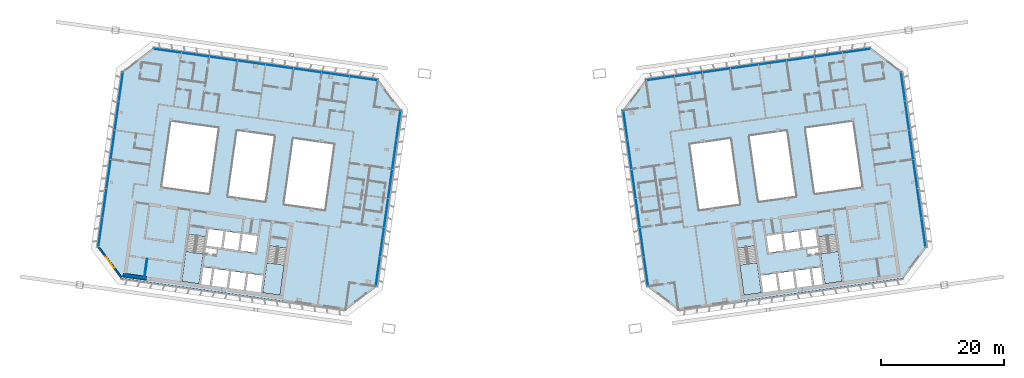
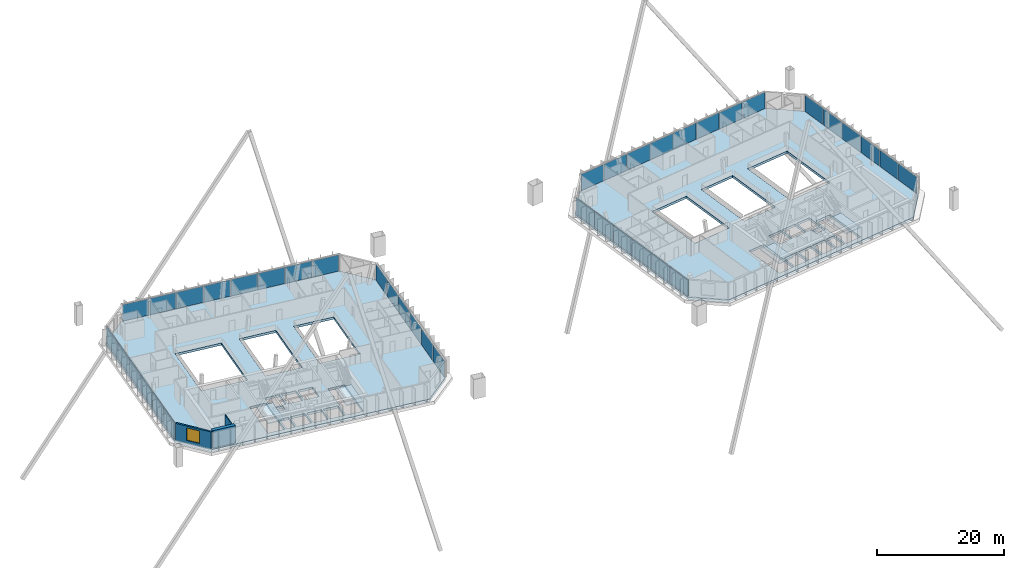
# One storey, part 18 of 28: 40 plates, 6 slabs, 3 walls, 1 window, 1 opening, 10 elements without a shape of their own.
"""IFC4 building model written with IfcOpenShell, lengths in metres."""

from ifc_helpers import new_model, si_unit, direction, frame, frame_2d, origin, origin_2d, place, context, subcontext, project, spatial, polyline, rectangle, outline, extrude, material, layer, layer_set, type_object, element, fill, aggregate, save


model = new_model("IFC4")

# Units and contexts
model_context = context("Model", 3, precision=1e-05, world=origin(), true_north=direction((0.0, 1.0)))
body_context = subcontext(model_context, "Body", "Model", "MODEL_VIEW")
ifc_project = project(units=[si_unit("LENGTHUNIT", "METRE"), si_unit("AREAUNIT", "SQUARE_METRE"), si_unit("VOLUMEUNIT", "CUBIC_METRE"), si_unit("PLANEANGLEUNIT", "RADIAN"), si_unit("MASSUNIT", "GRAM", prefix="KILO")], contexts=[model_context])

# Site, building, storey
site_placement = place(None, origin())
site = spatial("IfcSite", under=ifc_project, at=site_placement, CompositionType="ELEMENT")
building_placement = place(site_placement, origin())
building = spatial("IfcBuilding", under=site, at=building_placement, Name="Mirante Cascada Hotel Towers", CompositionType="ELEMENT")
storey_placement = place(building_placement, frame((0.0, 0.0, 243.2)))
storey = spatial("IfcBuildingStorey", under=building, at=storey_placement, Name="L58", CompositionType="ELEMENT", Elevation=243.2)

# Curtain wall, plates
ifc_material_1 = material(Name="Aluminium mullion and transom frame with clear laminated glass", Category="aluminium")
curtain_wall_type_1 = type_object("IfcCurtainWallType", Name="Ribbon curtain wall ECW1", PredefinedType="NOTDEFINED", material=ifc_material_1)
curtain_wall_1_placement = place(storey_placement, origin())
curtain_wall_1 = element("IfcCurtainWall", 1, at=curtain_wall_1_placement, inside=storey, type_object=curtain_wall_type_1, Name="Front ribbon wall T1 L58", PredefinedType="NOTDEFINED")
ifc_material_2 = material(Name="Clear laminated glass", Category="glass")
ifc_layer_1 = layer(ifc_material_2, 0.036)
ifc_layer_set_1 = layer_set([ifc_layer_1], Name="ECW1 glass panel 36")
plate_type_1 = type_object("IfcPlateType", Name="ECW1 glass panel 36", PredefinedType="CURTAIN_PANEL", material=ifc_layer_set_1)
plate_1_placement = place(storey_placement, frame((-56.207, 20.7184, 0.1), z_axis=(0.0, 0.0, 1.0), x_axis=(0.9902681, -0.1391731, 0.0)))
plate_1 = element("IfcPlate", 2, at=plate_1_placement, type_object=plate_type_1, Name="ECW1 panel 1", PredefinedType="CURTAIN_PANEL", context=body_context, shape_type="SweptSolid", body=[
    extrude(rectangle(XDim=4.5182, YDim=0.036, at=origin_2d()), origin(), (0.0, 0.0, 1.0), 3.15),
])
plate_2_placement = place(storey_placement, frame((-51.6523, 20.0783, 0.1), z_axis=(0.0, 0.0, 1.0), x_axis=(0.9902681, -0.1391731, 0.0)))
plate_2 = element("IfcPlate", 3, at=plate_2_placement, type_object=plate_type_1, Name="ECW1 panel 2", PredefinedType="CURTAIN_PANEL", context=body_context, shape_type="SweptSolid", body=[
    extrude(rectangle(XDim=4.5507, YDim=0.036, at=origin_2d()), origin(), (0.0, 0.0, 1.0), 3.15),
])
plate_3_placement = place(storey_placement, frame((-47.0815, 19.4359, 0.1), z_axis=(0.0, 0.0, 1.0), x_axis=(0.9902681, -0.1391731, 0.0)))
plate_3 = element("IfcPlate", 4, at=plate_3_placement, type_object=plate_type_1, Name="ECW1 panel 3", PredefinedType="CURTAIN_PANEL", context=body_context, shape_type="SweptSolid", body=[
    extrude(rectangle(XDim=4.5507, YDim=0.036, at=origin_2d()), origin(), (0.0, 0.0, 1.0), 3.15),
])
plate_4_placement = place(storey_placement, frame((-42.5107, 18.7935, 0.1), z_axis=(0.0, 0.0, 1.0), x_axis=(0.9902681, -0.1391731, 0.0)))
plate_4 = element("IfcPlate", 5, at=plate_4_placement, type_object=plate_type_1, Name="ECW1 panel 4", PredefinedType="CURTAIN_PANEL", context=body_context, shape_type="SweptSolid", body=[
    extrude(rectangle(XDim=4.5507, YDim=0.036, at=origin_2d()), origin(), (0.0, 0.0, 1.0), 3.15),
])
plate_5_placement = place(storey_placement, frame((-37.9399, 18.1511, 0.1), z_axis=(0.0, 0.0, 1.0), x_axis=(0.9902681, -0.1391731, 0.0)))
plate_5 = element("IfcPlate", 6, at=plate_5_placement, type_object=plate_type_1, Name="ECW1 panel 5", PredefinedType="CURTAIN_PANEL", context=body_context, shape_type="SweptSolid", body=[
    extrude(rectangle(XDim=4.5507, YDim=0.036, at=origin_2d()), origin(), (0.0, 0.0, 1.0), 3.15),
])
plate_6_placement = place(storey_placement, frame((-33.3691, 17.5087, 0.1), z_axis=(0.0, 0.0, 1.0), x_axis=(0.9902681, -0.1391731, 0.0)))
plate_6 = element("IfcPlate", 7, at=plate_6_placement, type_object=plate_type_1, Name="ECW1 panel 6", PredefinedType="CURTAIN_PANEL", context=body_context, shape_type="SweptSolid", body=[
    extrude(rectangle(XDim=4.5507, YDim=0.036, at=origin_2d()), origin(), (0.0, 0.0, 1.0), 3.15),
])
plate_7_placement = place(storey_placement, frame((-28.7983, 16.8664, 0.1), z_axis=(0.0, 0.0, 1.0), x_axis=(0.9902681, -0.1391731, 0.0)))
plate_7 = element("IfcPlate", 8, at=plate_7_placement, type_object=plate_type_1, Name="ECW1 panel 7", PredefinedType="CURTAIN_PANEL", context=body_context, shape_type="SweptSolid", body=[
    extrude(rectangle(XDim=4.5507, YDim=0.036, at=origin_2d()), origin(), (0.0, 0.0, 1.0), 3.15),
])
plate_8_placement = place(storey_placement, frame((-24.2436, 16.2262, 0.1), z_axis=(0.0, 0.0, 1.0), x_axis=(0.9902681, -0.1391731, 0.0)))
plate_8 = element("IfcPlate", 9, at=plate_8_placement, type_object=plate_type_1, Name="ECW1 panel 8", PredefinedType="CURTAIN_PANEL", context=body_context, shape_type="SweptSolid", body=[
    extrude(rectangle(XDim=4.5182, YDim=0.036, at=origin_2d()), origin(), (0.0, 0.0, 1.0), 3.15),
])
aggregate(curtain_wall_1, [plate_1, plate_2, plate_3, plate_4, plate_5, plate_6, plate_7, plate_8])

curtain_wall_2_placement = place(storey_placement, origin())
curtain_wall_2 = element("IfcCurtainWall", 10, at=curtain_wall_2_placement, inside=storey, type_object=curtain_wall_type_1, Name="Front ribbon wall T2 L58", PredefinedType="NOTDEFINED")
plate_9_placement = place(storey_placement, frame((56.207, 20.7184, 0.1), z_axis=(0.0, 0.0, 1.0), x_axis=(-0.9902681, -0.1391731, 0.0)))
plate_9 = element("IfcPlate", 11, at=plate_9_placement, type_object=plate_type_1, Name="ECW1 panel 1", PredefinedType="CURTAIN_PANEL", context=body_context, shape_type="SweptSolid", body=[
    extrude(rectangle(XDim=4.5182, YDim=0.036, at=origin_2d()), origin(), (0.0, 0.0, 1.0), 3.15),
])
plate_10_placement = place(storey_placement, frame((51.6523, 20.0783, 0.1), z_axis=(0.0, 0.0, 1.0), x_axis=(-0.9902681, -0.1391731, 0.0)))
plate_10 = element("IfcPlate", 12, at=plate_10_placement, type_object=plate_type_1, Name="ECW1 panel 2", PredefinedType="CURTAIN_PANEL", context=body_context, shape_type="SweptSolid", body=[
    extrude(rectangle(XDim=4.5507, YDim=0.036, at=origin_2d()), origin(), (0.0, 0.0, 1.0), 3.15),
])
plate_11_placement = place(storey_placement, frame((47.0815, 19.4359, 0.1), z_axis=(0.0, 0.0, 1.0), x_axis=(-0.9902681, -0.1391731, 0.0)))
plate_11 = element("IfcPlate", 13, at=plate_11_placement, type_object=plate_type_1, Name="ECW1 panel 3", PredefinedType="CURTAIN_PANEL", context=body_context, shape_type="SweptSolid", body=[
    extrude(rectangle(XDim=4.5507, YDim=0.036, at=origin_2d()), origin(), (0.0, 0.0, 1.0), 3.15),
])
plate_12_placement = place(storey_placement, frame((42.5107, 18.7935, 0.1), z_axis=(0.0, 0.0, 1.0), x_axis=(-0.9902681, -0.1391731, 0.0)))
plate_12 = element("IfcPlate", 14, at=plate_12_placement, type_object=plate_type_1, Name="ECW1 panel 4", PredefinedType="CURTAIN_PANEL", context=body_context, shape_type="SweptSolid", body=[
    extrude(rectangle(XDim=4.5507, YDim=0.036, at=origin_2d()), origin(), (0.0, 0.0, 1.0), 3.15),
])
plate_13_placement = place(storey_placement, frame((37.9399, 18.1511, 0.1), z_axis=(0.0, 0.0, 1.0), x_axis=(-0.9902681, -0.1391731, 0.0)))
plate_13 = element("IfcPlate", 15, at=plate_13_placement, type_object=plate_type_1, Name="ECW1 panel 5", PredefinedType="CURTAIN_PANEL", context=body_context, shape_type="SweptSolid", body=[
    extrude(rectangle(XDim=4.5507, YDim=0.036, at=origin_2d()), origin(), (0.0, 0.0, 1.0), 3.15),
])
plate_14_placement = place(storey_placement, frame((33.3691, 17.5087, 0.1), z_axis=(0.0, 0.0, 1.0), x_axis=(-0.9902681, -0.1391731, 0.0)))
plate_14 = element("IfcPlate", 16, at=plate_14_placement, type_object=plate_type_1, Name="ECW1 panel 6", PredefinedType="CURTAIN_PANEL", context=body_context, shape_type="SweptSolid", body=[
    extrude(rectangle(XDim=4.5507, YDim=0.036, at=origin_2d()), origin(), (0.0, 0.0, 1.0), 3.15),
])
plate_15_placement = place(storey_placement, frame((28.7983, 16.8664, 0.1), z_axis=(0.0, 0.0, 1.0), x_axis=(-0.9902681, -0.1391731, 0.0)))
plate_15 = element("IfcPlate", 17, at=plate_15_placement, type_object=plate_type_1, Name="ECW1 panel 7", PredefinedType="CURTAIN_PANEL", context=body_context, shape_type="SweptSolid", body=[
    extrude(rectangle(XDim=4.5507, YDim=0.036, at=origin_2d()), origin(), (0.0, 0.0, 1.0), 3.15),
])
plate_16_placement = place(storey_placement, frame((24.2436, 16.2262, 0.1), z_axis=(0.0, 0.0, 1.0), x_axis=(-0.9902681, -0.1391731, 0.0)))
plate_16 = element("IfcPlate", 18, at=plate_16_placement, type_object=plate_type_1, Name="ECW1 panel 8", PredefinedType="CURTAIN_PANEL", context=body_context, shape_type="SweptSolid", body=[
    extrude(rectangle(XDim=4.5182, YDim=0.036, at=origin_2d()), origin(), (0.0, 0.0, 1.0), 3.15),
])
aggregate(curtain_wall_2, [plate_9, plate_10, plate_11, plate_12, plate_13, plate_14, plate_15, plate_16])

ifc_material_3 = material(Name="Aluminium mullion and transom frame with clear laminated glass", Category="aluminium")
curtain_wall_type_2 = type_object("IfcCurtainWallType", Name="End ribbon curtain wall ECW2", PredefinedType="NOTDEFINED", material=ifc_material_3)
curtain_wall_3_placement = place(storey_placement, origin())
curtain_wall_3 = element("IfcCurtainWall", 19, at=curtain_wall_3_placement, inside=storey, type_object=curtain_wall_type_2, Name="Inner end wall T1 L58", PredefinedType="NOTDEFINED")
ifc_material_4 = material(Name="Clear laminated glass", Category="glass")
ifc_layer_2 = layer(ifc_material_4, 0.034)
ifc_layer_set_2 = layer_set([ifc_layer_2], Name="ECW2 glass panel 34")
plate_type_2 = type_object("IfcPlateType", Name="ECW2 glass panel 34", PredefinedType="CURTAIN_PANEL", material=ifc_layer_set_2)
plate_17_placement = place(storey_placement, frame((-18.5241, 8.5206, 0.1), z_axis=(0.0, 0.0, 1.0), x_axis=(-0.1391731, -0.9902681, 0.0)))
plate_17 = element("IfcPlate", 20, at=plate_17_placement, type_object=plate_type_2, Name="ECW2 panel 1", PredefinedType="CURTAIN_PANEL", context=body_context, shape_type="SweptSolid", body=[
    extrude(rectangle(XDim=4.7151, YDim=0.034, at=origin_2d()), origin(), (0.0, 0.0, 1.0), 3.15),
])
plate_18_placement = place(storey_placement, frame((-19.1916, 3.7709, 0.1), z_axis=(0.0, 0.0, 1.0), x_axis=(-0.1391731, -0.9902681, 0.0)))
plate_18 = element("IfcPlate", 21, at=plate_18_placement, type_object=plate_type_2, Name="ECW2 panel 2", PredefinedType="CURTAIN_PANEL", context=body_context, shape_type="SweptSolid", body=[
    extrude(rectangle(XDim=4.7476, YDim=0.034, at=origin_2d()), origin(), (0.0, 0.0, 1.0), 3.15),
])
plate_19_placement = place(storey_placement, frame((-19.8614, -0.9949, 0.1), z_axis=(0.0, 0.0, 1.0), x_axis=(-0.1391731, -0.9902681, 0.0)))
plate_19 = element("IfcPlate", 22, at=plate_19_placement, type_object=plate_type_2, Name="ECW2 panel 3", PredefinedType="CURTAIN_PANEL", context=body_context, shape_type="SweptSolid", body=[
    extrude(rectangle(XDim=4.7476, YDim=0.034, at=origin_2d()), origin(), (0.0, 0.0, 1.0), 3.15),
])
plate_20_placement = place(storey_placement, frame((-20.5312, -5.7607, 0.1), z_axis=(0.0, 0.0, 1.0), x_axis=(-0.1391731, -0.9902681, 0.0)))
plate_20 = element("IfcPlate", 23, at=plate_20_placement, type_object=plate_type_2, Name="ECW2 panel 4", PredefinedType="CURTAIN_PANEL", context=body_context, shape_type="SweptSolid", body=[
    extrude(rectangle(XDim=4.7476, YDim=0.034, at=origin_2d()), origin(), (0.0, 0.0, 1.0), 3.15),
])
plate_21_placement = place(storey_placement, frame((-21.201, -10.5265, 0.1), z_axis=(0.0, 0.0, 1.0), x_axis=(-0.1391731, -0.9902681, 0.0)))
plate_21 = element("IfcPlate", 24, at=plate_21_placement, type_object=plate_type_2, Name="ECW2 panel 5", PredefinedType="CURTAIN_PANEL", context=body_context, shape_type="SweptSolid", body=[
    extrude(rectangle(XDim=4.7476, YDim=0.034, at=origin_2d()), origin(), (0.0, 0.0, 1.0), 3.15),
])
plate_22_placement = place(storey_placement, frame((-21.8685, -15.2762, 0.1), z_axis=(0.0, 0.0, 1.0), x_axis=(-0.1391731, -0.9902681, 0.0)))
plate_22 = element("IfcPlate", 25, at=plate_22_placement, type_object=plate_type_2, Name="ECW2 panel 6", PredefinedType="CURTAIN_PANEL", context=body_context, shape_type="SweptSolid", body=[
    extrude(rectangle(XDim=4.7151, YDim=0.034, at=origin_2d()), origin(), (0.0, 0.0, 1.0), 3.15),
])
aggregate(curtain_wall_3, [plate_17, plate_18, plate_19, plate_20, plate_21, plate_22])

curtain_wall_4_placement = place(storey_placement, origin())
curtain_wall_4 = element("IfcCurtainWall", 26, at=curtain_wall_4_placement, inside=storey, type_object=curtain_wall_type_2, Name="Outer end wall T1 L58", PredefinedType="NOTDEFINED")
plate_23_placement = place(storey_placement, frame((-67.1733, -8.909, 0.1), z_axis=(0.0, 0.0, 1.0), x_axis=(0.1391731, 0.9902681, 0.0)))
plate_23 = element("IfcPlate", 27, at=plate_23_placement, type_object=plate_type_2, Name="ECW2 panel 1", PredefinedType="CURTAIN_PANEL", context=body_context, shape_type="SweptSolid", body=[
    extrude(rectangle(XDim=4.7151, YDim=0.034, at=origin_2d()), origin(), (0.0, 0.0, 1.0), 3.15),
])
plate_24_placement = place(storey_placement, frame((-63.8289, 14.8877, 0.1), z_axis=(0.0, 0.0, 1.0), x_axis=(0.1391731, 0.9902681, 0.0)))
plate_24 = element("IfcPlate", 28, at=plate_24_placement, type_object=plate_type_2, Name="ECW2 panel 6", PredefinedType="CURTAIN_PANEL", context=body_context, shape_type="SweptSolid", body=[
    extrude(rectangle(XDim=4.7151, YDim=0.034, at=origin_2d()), origin(), (0.0, 0.0, 1.0), 3.15),
])

curtain_wall_5_placement = place(storey_placement, origin())
curtain_wall_5 = element("IfcCurtainWall", 29, at=curtain_wall_5_placement, inside=storey, type_object=curtain_wall_type_2, Name="Inner end wall T2 L58", PredefinedType="NOTDEFINED")
plate_25_placement = place(storey_placement, frame((18.5241, 8.5206, 0.1), z_axis=(0.0, 0.0, 1.0), x_axis=(0.1391731, -0.9902681, 0.0)))
plate_25 = element("IfcPlate", 30, at=plate_25_placement, type_object=plate_type_2, Name="ECW2 panel 1", PredefinedType="CURTAIN_PANEL", context=body_context, shape_type="SweptSolid", body=[
    extrude(rectangle(XDim=4.7151, YDim=0.034, at=origin_2d()), origin(), (0.0, 0.0, 1.0), 3.15),
])
plate_26_placement = place(storey_placement, frame((19.1916, 3.7709, 0.1), z_axis=(0.0, 0.0, 1.0), x_axis=(0.1391731, -0.9902681, 0.0)))
plate_26 = element("IfcPlate", 31, at=plate_26_placement, type_object=plate_type_2, Name="ECW2 panel 2", PredefinedType="CURTAIN_PANEL", context=body_context, shape_type="SweptSolid", body=[
    extrude(rectangle(XDim=4.7476, YDim=0.034, at=origin_2d()), origin(), (0.0, 0.0, 1.0), 3.15),
])
plate_27_placement = place(storey_placement, frame((19.8614, -0.9949, 0.1), z_axis=(0.0, 0.0, 1.0), x_axis=(0.1391731, -0.9902681, 0.0)))
plate_27 = element("IfcPlate", 32, at=plate_27_placement, type_object=plate_type_2, Name="ECW2 panel 3", PredefinedType="CURTAIN_PANEL", context=body_context, shape_type="SweptSolid", body=[
    extrude(rectangle(XDim=4.7476, YDim=0.034, at=origin_2d()), origin(), (0.0, 0.0, 1.0), 3.15),
])
plate_28_placement = place(storey_placement, frame((20.5312, -5.7607, 0.1), z_axis=(0.0, 0.0, 1.0), x_axis=(0.1391731, -0.9902681, 0.0)))
plate_28 = element("IfcPlate", 33, at=plate_28_placement, type_object=plate_type_2, Name="ECW2 panel 4", PredefinedType="CURTAIN_PANEL", context=body_context, shape_type="SweptSolid", body=[
    extrude(rectangle(XDim=4.7476, YDim=0.034, at=origin_2d()), origin(), (0.0, 0.0, 1.0), 3.15),
])
plate_29_placement = place(storey_placement, frame((21.201, -10.5265, 0.1), z_axis=(0.0, 0.0, 1.0), x_axis=(0.1391731, -0.9902681, 0.0)))
plate_29 = element("IfcPlate", 34, at=plate_29_placement, type_object=plate_type_2, Name="ECW2 panel 5", PredefinedType="CURTAIN_PANEL", context=body_context, shape_type="SweptSolid", body=[
    extrude(rectangle(XDim=4.7476, YDim=0.034, at=origin_2d()), origin(), (0.0, 0.0, 1.0), 3.15),
])
plate_30_placement = place(storey_placement, frame((21.8685, -15.2762, 0.1), z_axis=(0.0, 0.0, 1.0), x_axis=(0.1391731, -0.9902681, 0.0)))
plate_30 = element("IfcPlate", 35, at=plate_30_placement, type_object=plate_type_2, Name="ECW2 panel 6", PredefinedType="CURTAIN_PANEL", context=body_context, shape_type="SweptSolid", body=[
    extrude(rectangle(XDim=4.7151, YDim=0.034, at=origin_2d()), origin(), (0.0, 0.0, 1.0), 3.15),
])
aggregate(curtain_wall_5, [plate_25, plate_26, plate_27, plate_28, plate_29, plate_30])

curtain_wall_6_placement = place(storey_placement, origin())
curtain_wall_6 = element("IfcCurtainWall", 36, at=curtain_wall_6_placement, inside=storey, type_object=curtain_wall_type_2, Name="Outer end wall T2 L58", PredefinedType="NOTDEFINED")
plate_31_placement = place(storey_placement, frame((67.1733, -8.909, 0.1), z_axis=(0.0, 0.0, 1.0), x_axis=(-0.1391731, 0.9902681, 0.0)))
plate_31 = element("IfcPlate", 37, at=plate_31_placement, type_object=plate_type_2, Name="ECW2 panel 1", PredefinedType="CURTAIN_PANEL", context=body_context, shape_type="SweptSolid", body=[
    extrude(rectangle(XDim=4.7151, YDim=0.034, at=origin_2d()), origin(), (0.0, 0.0, 1.0), 3.15),
])
plate_32_placement = place(storey_placement, frame((63.8289, 14.8877, 0.1), z_axis=(0.0, 0.0, 1.0), x_axis=(-0.1391731, 0.9902681, 0.0)))
plate_32 = element("IfcPlate", 38, at=plate_32_placement, type_object=plate_type_2, Name="ECW2 panel 6", PredefinedType="CURTAIN_PANEL", context=body_context, shape_type="SweptSolid", body=[
    extrude(rectangle(XDim=4.7151, YDim=0.034, at=origin_2d()), origin(), (0.0, 0.0, 1.0), 3.15),
])

# Plate
ifc_material_5 = material(Name="Insulated aluminium spandrel panel", Category="aluminium")
ifc_layer_3 = layer(ifc_material_5, 0.034)
ifc_layer_set_3 = layer_set([ifc_layer_3], Name="ECW2 spandrel panel 34")
plate_type_3 = type_object("IfcPlateType", Name="ECW2 spandrel panel 34", PredefinedType="CURTAIN_PANEL", material=ifc_layer_set_3)
plate_33_placement = place(storey_placement, frame((-66.5058, -4.1593, 0.1), z_axis=(0.0, 0.0, 1.0), x_axis=(0.1391731, 0.9902681, 0.0)))
plate_33 = element("IfcPlate", 39, at=plate_33_placement, type_object=plate_type_3, Name="ECW2 panel 2", PredefinedType="CURTAIN_PANEL", context=body_context, shape_type="SweptSolid", body=[
    extrude(rectangle(XDim=4.7476, YDim=0.034, at=origin_2d()), origin(), (0.0, 0.0, 1.0), 3.15),
])

plate_34_placement = place(storey_placement, frame((-65.836, 0.6065, 0.1), z_axis=(0.0, 0.0, 1.0), x_axis=(0.1391731, 0.9902681, 0.0)))
plate_34 = element("IfcPlate", 40, at=plate_34_placement, type_object=plate_type_3, Name="ECW2 panel 3", PredefinedType="CURTAIN_PANEL", context=body_context, shape_type="SweptSolid", body=[
    extrude(rectangle(XDim=4.7476, YDim=0.034, at=origin_2d()), origin(), (0.0, 0.0, 1.0), 3.15),
])

plate_35_placement = place(storey_placement, frame((-65.1662, 5.3722, 0.1), z_axis=(0.0, 0.0, 1.0), x_axis=(0.1391731, 0.9902681, 0.0)))
plate_35 = element("IfcPlate", 41, at=plate_35_placement, type_object=plate_type_3, Name="ECW2 panel 4", PredefinedType="CURTAIN_PANEL", context=body_context, shape_type="SweptSolid", body=[
    extrude(rectangle(XDim=4.7476, YDim=0.034, at=origin_2d()), origin(), (0.0, 0.0, 1.0), 3.15),
])

plate_36_placement = place(storey_placement, frame((-64.4964, 10.138, 0.1), z_axis=(0.0, 0.0, 1.0), x_axis=(0.1391731, 0.9902681, 0.0)))
plate_36 = element("IfcPlate", 42, at=plate_36_placement, type_object=plate_type_3, Name="ECW2 panel 5", PredefinedType="CURTAIN_PANEL", context=body_context, shape_type="SweptSolid", body=[
    extrude(rectangle(XDim=4.7476, YDim=0.034, at=origin_2d()), origin(), (0.0, 0.0, 1.0), 3.15),
])

aggregate(curtain_wall_4, [plate_23, plate_33, plate_34, plate_35, plate_36, plate_24])

plate_37_placement = place(storey_placement, frame((66.5058, -4.1593, 0.1), z_axis=(0.0, 0.0, 1.0), x_axis=(-0.1391731, 0.9902681, 0.0)))
plate_37 = element("IfcPlate", 43, at=plate_37_placement, type_object=plate_type_3, Name="ECW2 panel 2", PredefinedType="CURTAIN_PANEL", context=body_context, shape_type="SweptSolid", body=[
    extrude(rectangle(XDim=4.7476, YDim=0.034, at=origin_2d()), origin(), (0.0, 0.0, 1.0), 3.15),
])

plate_38_placement = place(storey_placement, frame((65.836, 0.6065, 0.1), z_axis=(0.0, 0.0, 1.0), x_axis=(-0.1391731, 0.9902681, 0.0)))
plate_38 = element("IfcPlate", 44, at=plate_38_placement, type_object=plate_type_3, Name="ECW2 panel 3", PredefinedType="CURTAIN_PANEL", context=body_context, shape_type="SweptSolid", body=[
    extrude(rectangle(XDim=4.7476, YDim=0.034, at=origin_2d()), origin(), (0.0, 0.0, 1.0), 3.15),
])

plate_39_placement = place(storey_placement, frame((65.1662, 5.3722, 0.1), z_axis=(0.0, 0.0, 1.0), x_axis=(-0.1391731, 0.9902681, 0.0)))
plate_39 = element("IfcPlate", 45, at=plate_39_placement, type_object=plate_type_3, Name="ECW2 panel 4", PredefinedType="CURTAIN_PANEL", context=body_context, shape_type="SweptSolid", body=[
    extrude(rectangle(XDim=4.7476, YDim=0.034, at=origin_2d()), origin(), (0.0, 0.0, 1.0), 3.15),
])

plate_40_placement = place(storey_placement, frame((64.4964, 10.138, 0.1), z_axis=(0.0, 0.0, 1.0), x_axis=(-0.1391731, 0.9902681, 0.0)))
plate_40 = element("IfcPlate", 46, at=plate_40_placement, type_object=plate_type_3, Name="ECW2 panel 5", PredefinedType="CURTAIN_PANEL", context=body_context, shape_type="SweptSolid", body=[
    extrude(rectangle(XDim=4.7476, YDim=0.034, at=origin_2d()), origin(), (0.0, 0.0, 1.0), 3.15),
])

aggregate(curtain_wall_6, [plate_31, plate_37, plate_38, plate_39, plate_40, plate_32])

# Stair, slab
ifc_material_6 = material(Name="Concrete C35/45", Category="concrete")
stair_type = type_object("IfcStairType", Name="Exit stair half-turn 1350 concrete C35/45", PredefinedType="HALF_TURN_STAIR", material=ifc_material_6)
stair_1_placement = place(storey_placement, origin())
stair_1 = element("IfcStair", 47, at=stair_1_placement, inside=storey, type_object=stair_type, Name="L58 Exit stair A", PredefinedType="HALF_TURN_STAIR")
ifc_material_7 = material(Name="Concrete C35/45", Category="concrete")
ifc_layer_4 = layer(ifc_material_7, 0.2)
ifc_layer_set_4 = layer_set([ifc_layer_4], Name="Exit stair landing 200 concrete C35/45")
slab_type_1 = type_object("IfcSlabType", Name="Exit stair landing 200 concrete C35/45", PredefinedType="LANDING", material=ifc_layer_set_4)
slab_1_placement = place(storey_placement, frame((0.0, 0.0, 1.7)))
slab_1 = element("IfcSlab", 48, at=slab_1_placement, type_object=slab_type_1, Name="ST1-A landing 1", PredefinedType="LANDING", context=body_context, shape_type="SweptSolid", body=[
    extrude(outline(polyline([(-39.9987, -13.8659), (-40.6887, -18.7757), (-37.8665, -19.1723), (-37.1765, -14.2626), (-39.9987, -13.8659)])), origin(), (0.0, 0.0, 1.0), 0.2),
])
aggregate(stair_1, [slab_1])

stair_2_placement = place(storey_placement, origin())
stair_2 = element("IfcStair", 49, at=stair_2_placement, inside=storey, type_object=stair_type, Name="L58 Exit stair B", PredefinedType="HALF_TURN_STAIR")
slab_2_placement = place(storey_placement, frame((0.0, 0.0, 1.7)))
slab_2 = element("IfcSlab", 50, at=slab_2_placement, type_object=slab_type_1, Name="ST1-B landing 1", PredefinedType="LANDING", context=body_context, shape_type="SweptSolid", body=[
    extrude(outline(polyline([(-53.2188, -12.008), (-53.9088, -16.9177), (-51.0866, -17.3144), (-50.3965, -12.4046), (-53.2188, -12.008)])), origin(), (0.0, 0.0, 1.0), 0.2),
])
aggregate(stair_2, [slab_2])

stair_3_placement = place(storey_placement, origin())
stair_3 = element("IfcStair", 51, at=stair_3_placement, inside=storey, type_object=stair_type, Name="L58 Exit stair A", PredefinedType="HALF_TURN_STAIR")
slab_3_placement = place(storey_placement, frame((0.0, 0.0, 1.7)))
slab_3 = element("IfcSlab", 52, at=slab_3_placement, type_object=slab_type_1, Name="ST2-A landing 1", PredefinedType="LANDING", context=body_context, shape_type="SweptSolid", body=[
    extrude(outline(polyline([(37.1765, -14.2626), (37.8665, -19.1723), (40.6887, -18.7757), (39.9987, -13.8659), (37.1765, -14.2626)])), origin(), (0.0, 0.0, 1.0), 0.2),
])
aggregate(stair_3, [slab_3])

stair_4_placement = place(storey_placement, origin())
stair_4 = element("IfcStair", 53, at=stair_4_placement, inside=storey, type_object=stair_type, Name="L58 Exit stair B", PredefinedType="HALF_TURN_STAIR")
slab_4_placement = place(storey_placement, frame((0.0, 0.0, 1.7)))
slab_4 = element("IfcSlab", 54, at=slab_4_placement, type_object=slab_type_1, Name="ST2-B landing 1", PredefinedType="LANDING", context=body_context, shape_type="SweptSolid", body=[
    extrude(outline(polyline([(50.3965, -12.4046), (51.0866, -17.3144), (53.9088, -16.9177), (53.2188, -12.008), (50.3965, -12.4046)])), origin(), (0.0, 0.0, 1.0), 0.2),
])
aggregate(stair_4, [slab_4])

# Slabs
ifc_material_8 = material(Name="Concrete C40/50", Category="concrete")
ifc_layer_5 = layer(ifc_material_8, 0.45)
ifc_layer_set_5 = layer_set([ifc_layer_5], Name="Post-tensioned flat plate 450 Concrete C40/50")
slab_type_2 = type_object("IfcSlabType", Name="Post-tensioned flat plate 450 Concrete C40/50", PredefinedType="FLOOR", material=ifc_layer_set_5)
slab_5_placement = place(storey_placement, frame((0.0, 0.0, -0.45)))
element("IfcSlab", 55, at=slab_5_placement, inside=storey, type_object=slab_type_2, Name="Floor T1 L58", PredefinedType="FLOOR", context=body_context, shape_type="SweptSolid", body=[
    extrude(outline(polyline([(-22.0658, -17.7576), (-18.0297, 10.9602), (-21.8597, 16.0427), (-58.5492, 21.199), (-63.6316, 17.3691), (-67.6677, -11.3487), (-63.8377, -16.4311), (-27.1482, -21.5875), (-22.0658, -17.7576)]), holes=[polyline([(-40.5961, -15.9612), (-40.9858, -18.7339), (-43.4615, -18.386), (-43.0718, -15.6132), (-40.5961, -15.9612)]), polyline([(-43.3689, -15.5715), (-43.7586, -18.3442), (-46.2342, -17.9963), (-45.8446, -15.2236), (-43.3689, -15.5715)]), polyline([(-37.8665, -19.1723), (-40.6887, -18.7757), (-39.611, -11.107), (-36.7887, -11.5037), (-37.8665, -19.1723)]), polyline([(-43.9775, -9.124), (-41.5018, -9.472), (-41.8915, -12.2447), (-44.3672, -11.8968), (-43.9775, -9.124)]), polyline([(-46.7503, -8.7344), (-44.2746, -9.0823), (-44.6643, -11.855), (-47.1399, -11.5071), (-46.7503, -8.7344)]), polyline([(-30.4732, -5.3669), (-37.2493, -4.4146), (-35.7184, 6.4784), (-28.9423, 5.526), (-30.4732, -5.3669)]), polyline([(-46.4217, -3.1255), (-44.8908, 7.7675), (-38.6912, 6.8962), (-40.2221, -3.9968), (-46.4217, -3.1255)]), polyline([(-57.2104, -1.6092), (-55.6795, 9.2837), (-47.8636, 8.1852), (-49.3945, -2.7077), (-49.3945, -2.7077), (-57.2104, -1.6092)]), polyline([(-48.6173, -14.8339), (-46.1416, -15.1818), (-46.5313, -17.9546), (-49.007, -17.6066), (-48.6173, -14.8339)]), polyline([(-50.3998, -14.5834), (-48.9144, -14.7921), (-49.3041, -17.5649), (-50.7895, -17.3561), (-50.3998, -14.5834)]), polyline([(-51.0866, -17.3144), (-53.9088, -16.9177), (-52.8311, -9.2491), (-50.0088, -9.6457), (-51.0866, -17.3144)]), polyline([(-49.9544, -11.4145), (-48.1472, -11.6685), (-48.2829, -12.634), (-50.0901, -12.38), (-49.9544, -11.4145)]), polyline([(-49.523, -8.3447), (-47.0473, -8.6926), (-47.437, -11.4654), (-49.9127, -11.1174), (-49.523, -8.3447)])]), origin(), (0.0, 0.0, 1.0), 0.45),
])
slab_6_placement = place(storey_placement, frame((0.0, 0.0, -0.45)))
element("IfcSlab", 56, at=slab_6_placement, inside=storey, type_object=slab_type_2, Name="Floor T2 L58", PredefinedType="FLOOR", context=body_context, shape_type="SweptSolid", body=[
    extrude(outline(polyline([(22.0658, -17.7576), (18.0297, 10.9602), (21.8597, 16.0427), (58.5492, 21.199), (63.6316, 17.3691), (67.6677, -11.3487), (63.8377, -16.4311), (27.1482, -21.5875), (22.0658, -17.7576)]), holes=[polyline([(40.5961, -15.9612), (40.9858, -18.7339), (43.4615, -18.386), (43.0718, -15.6132), (40.5961, -15.9612)]), polyline([(43.3689, -15.5715), (43.7586, -18.3442), (46.2342, -17.9963), (45.8446, -15.2236), (43.3689, -15.5715)]), polyline([(40.6887, -18.7757), (39.611, -11.107), (36.7887, -11.5037), (37.8665, -19.1723), (40.6887, -18.7757)]), polyline([(43.9775, -9.124), (41.5018, -9.472), (41.8915, -12.2447), (44.3672, -11.8968), (43.9775, -9.124)]), polyline([(46.7503, -8.7344), (44.2746, -9.0823), (44.6643, -11.855), (47.1399, -11.5071), (46.7503, -8.7344)]), polyline([(30.4732, -5.3669), (28.9423, 5.526), (35.7184, 6.4784), (37.2493, -4.4146), (30.4732, -5.3669)]), polyline([(40.2221, -3.9968), (38.6912, 6.8962), (44.8908, 7.7675), (46.4217, -3.1255), (40.2221, -3.9968)]), polyline([(55.6795, 9.2837), (57.2104, -1.6092), (49.3945, -2.7077), (49.3945, -2.7077), (47.8636, 8.1852), (55.6795, 9.2837)]), polyline([(48.6173, -14.8339), (46.1416, -15.1818), (46.5313, -17.9546), (49.007, -17.6066), (48.6173, -14.8339)]), polyline([(50.3998, -14.5834), (48.9144, -14.7921), (49.3041, -17.5649), (50.7895, -17.3561), (50.3998, -14.5834)]), polyline([(53.9088, -16.9177), (52.8311, -9.2491), (50.0088, -9.6457), (51.0866, -17.3144), (53.9088, -16.9177)]), polyline([(49.9544, -11.4145), (48.1472, -11.6685), (48.2829, -12.634), (50.0901, -12.38), (49.9544, -11.4145)]), polyline([(49.523, -8.3447), (47.0473, -8.6926), (47.437, -11.4654), (49.9127, -11.1174), (49.523, -8.3447)])]), origin(), (0.0, 0.0, 1.0), 0.45),
])

# Wall
ifc_material_9 = material(Name="Masonry block", Category="masonry")
ifc_layer_6 = layer(ifc_material_9, 0.15)
ifc_layer_set_6 = layer_set([ifc_layer_6], Name="Core room partition 150 block EI 30")
wall_type_1 = type_object("IfcWallType", Name="Core room partition 150 block EI 30", PredefinedType="PARTITIONING", material=ifc_layer_set_6)
wall_1_placement = place(storey_placement, frame((-59.9495, -16.0688, 0.0), z_axis=(0.0, 0.0, 1.0), x_axis=(0.139176, 0.9902677, 0.0)))
element("IfcWall", 57, at=wall_1_placement, inside=storey, type_object=wall_type_1, Name="Core wall partition T1 L58 6", PredefinedType="PARTITIONING", context=body_context, shape_type="SweptSolid", body=[
    extrude(rectangle(XDim=2.8001, YDim=0.15, at=frame_2d((1.4, 0.0))), origin(), (0.0, 0.0, 1.0), 3.35),
])

# Wall, opening, window
ifc_material_10 = material(Name="Precast concrete C40/50", Category="concrete")
ifc_layer_7 = layer(ifc_material_10, 0.3)
ifc_layer_set_7 = layer_set([ifc_layer_7], Name="Precast concrete C40/50 cladding wall 300")
wall_type_2 = type_object("IfcWallType", Name="Precast concrete C40/50 cladding wall 300", PredefinedType="STANDARD", material=ifc_layer_set_7)
wall_2_placement = place(storey_placement, frame((-63.7926, -16.2417, 0.0), z_axis=(0.0, 0.0, 1.0), x_axis=(-0.6018245, 0.7986283, 0.0)))
wall_2 = element("IfcWall", 58, at=wall_2_placement, inside=storey, type_object=wall_type_2, Name="Corner cladding wall T1 L58 rear outer", PredefinedType="STANDARD", context=body_context, shape_type="SweptSolid", body=[
    extrude(rectangle(XDim=6.1157, YDim=0.3, at=frame_2d((3.0578, 0.0))), origin(), (0.0, 0.0, 1.0), 3.35),
])
opening_placement = place(wall_2_placement, frame((1.9578, 0.0, 0.6)))
opening = element("IfcOpeningElement", 59, at=opening_placement, cuts=wall_2, Name="Opening W1-58-03", PredefinedType="OPENING", context=body_context, shape_type="SweptSolid", body=[
    extrude(rectangle(XDim=2.2, YDim=2.4, at=frame_2d((1.1, 1.2))), frame((0.0, 0.15, 0.0), z_axis=(0.0, -1.0, 0.0), x_axis=(1.0, 0.0, 0.0)), (0.0, 0.0, 1.0), 0.3),
])
ifc_material_11 = material(Name="Aluminium frame with clear double glazing", Category="aluminium")
window_type = type_object("IfcWindowType", Name="Corner suite window 2200x2400", PartitioningType="DOUBLE_PANEL_VERTICAL", PredefinedType="WINDOW", material=ifc_material_11)
window_placement = place(opening_placement, origin())
window = element("IfcWindow", 60, at=window_placement, inside=storey, type_object=window_type, Name="Window W1-58-03", OverallHeight=2.4, OverallWidth=2.2, PartitioningType="SINGLE_PANEL", PredefinedType="WINDOW", context=body_context, shape_type="SweptSolid", body=[
    extrude(rectangle(XDim=2.2, YDim=2.4, at=frame_2d((1.1, 1.2))), frame((0.0, 0.03, 0.0), z_axis=(0.0, -1.0, 0.0), x_axis=(1.0, 0.0, 0.0)), (0.0, 0.0, 1.0), 0.06),
])
fill(opening, window)

# Wall
ifc_material_12 = material(Name="Concrete C50/60", Category="concrete")
ifc_layer_8 = layer(ifc_material_12, 0.6)
ifc_layer_set_8 = layer_set([ifc_layer_8], Name="RC core wall 600 C50/60")
wall_type_3 = type_object("IfcWallType", Name="RC core wall 600 C50/60", PredefinedType="SHEAR", material=ifc_layer_set_8)
wall_3_placement = place(storey_placement, frame((-59.6446, -16.4145, 0.0), z_axis=(0.0, 0.0, 1.0), x_axis=(-0.9902685, 0.1391701, 0.0)))
element("IfcWall", 61, at=wall_3_placement, inside=storey, type_object=wall_type_3, Name="Core wall T1:L58:1.3", PredefinedType="SHEAR", context=body_context, shape_type="SweptSolid", body=[
    extrude(rectangle(XDim=3.85, YDim=0.6, at=frame_2d((1.925, 0.0))), origin(), (0.0, 0.0, 1.0), 3.35),
])

save(model, "model.ifc")
